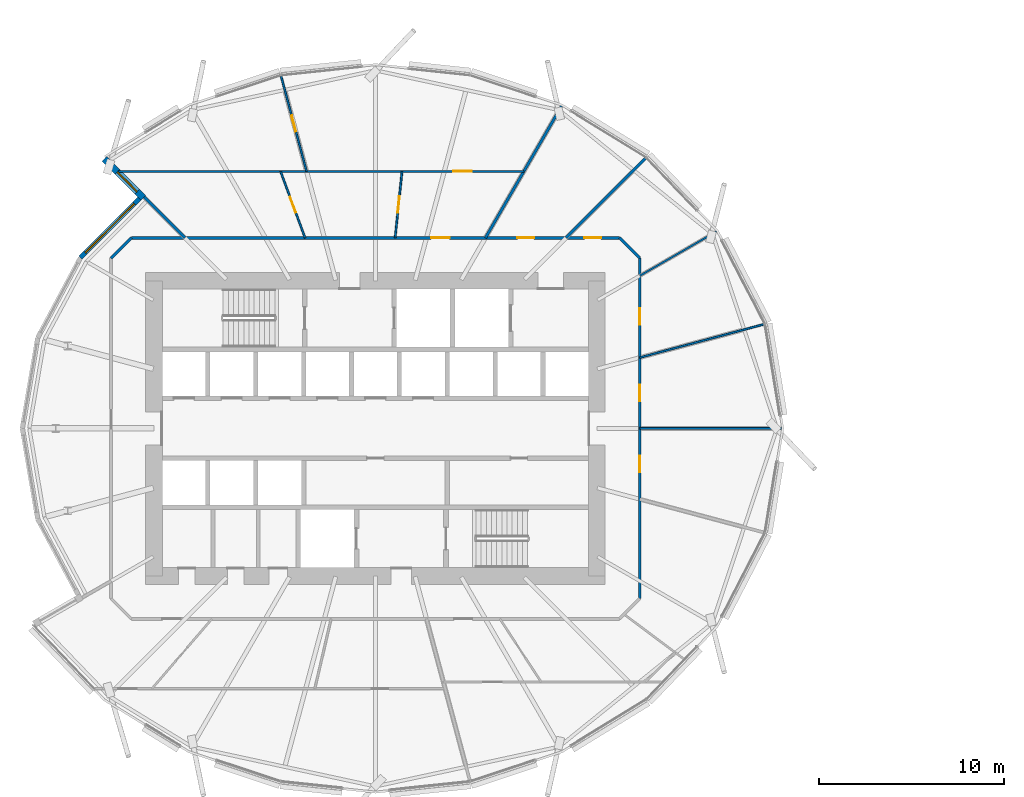
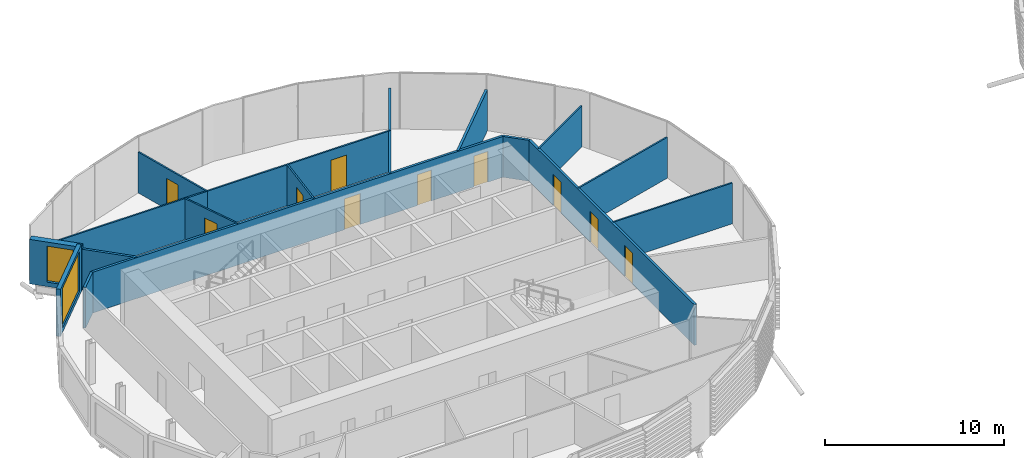
# One storey, part 21 of 36: 17 walls, 10 doors, 2 windows, 12 openings.
"""IFC4 building model written with IfcOpenShell, lengths in metres."""

from ifc_helpers import new_model, si_unit, direction, frame, frame_2d, origin, place, context, subcontext, project, spatial, rectangle, extrude, material, layer, layer_set, type_object, element, fill, save


model = new_model("IFC4")

# Units and contexts
model_context = context("Model", 3, precision=1e-05, world=origin(), true_north=direction((0.0, 1.0)))
body_context = subcontext(model_context, "Body", "Model", "MODEL_VIEW")
ifc_project = project(units=[si_unit("LENGTHUNIT", "METRE"), si_unit("AREAUNIT", "SQUARE_METRE"), si_unit("VOLUMEUNIT", "CUBIC_METRE"), si_unit("PLANEANGLEUNIT", "RADIAN"), si_unit("MASSUNIT", "GRAM", prefix="KILO")], contexts=[model_context])

# Site, building, storey
site_placement = place(None, origin())
site = spatial("IfcSite", under=ifc_project, at=site_placement, CompositionType="ELEMENT")
building_placement = place(site_placement, origin())
building = spatial("IfcBuilding", under=site, at=building_placement, Name="Rimbun Link Towers", CompositionType="ELEMENT")
storey_placement = place(building_placement, frame((0.0, 0.0, 37.60009765625)))
storey = spatial("IfcBuildingStorey", under=building, at=storey_placement, Name="L08", CompositionType="ELEMENT", Elevation=37.60009765625)

# Wall, opening, window
ifc_material_1 = material(Name="Dark enamelled glass spandrel on insulated aluminium backpan", Category="aluminium")
ifc_layer_1 = layer(ifc_material_1, 0.25)
ifc_layer_set_1 = layer_set([ifc_layer_1], Name="CS dark enamelled spandrel wall 250")
wall_type_1 = type_object("IfcWallType", Name="CS dark enamelled spandrel wall 250", PredefinedType="STANDARD", material=ifc_layer_set_1)
wall_1_placement = place(storey_placement, frame((-47.73828125, 9.247314453125, 0.0), z_axis=(0.0, 0.0, 1.0), x_axis=(0.704968436266, 0.709238679056, 0.0)))
wall_1 = element("IfcWall", 1, at=wall_1_placement, inside=storey, type_object=wall_type_1, Name="Crease spandrel wall", PredefinedType="STANDARD", context=body_context, shape_type="SweptSolid", body=[
    extrude(rectangle(XDim=4.5166015625, YDim=0.25, at=frame_2d((2.25830078125, 0.0))), origin(), (0.0, 0.0, 1.0), 3.223388671875),
])
opening_1_placement = place(wall_1_placement, frame((0.38330078125, 0.0, 0.300048828125)))
opening_1 = element("IfcOpeningElement", 2, at=opening_1_placement, cuts=wall_1, Name="Opening WR38H270", PredefinedType="OPENING", context=body_context, shape_type="SweptSolid", body=[
    extrude(rectangle(XDim=3.75, YDim=2.699951171875, at=frame_2d((1.875, 1.35009765625))), frame((0.0, 0.135009765625, 0.0), z_axis=(0.0, -1.0, 0.0), x_axis=(1.0, 0.0, 0.0)), (0.0, 0.0, 1.0), 0.27001953125),
])
ifc_material_2 = material(Name="Aluminium framed fixed window, dark tinted low-e glass", Category="aluminium")
window_type_1 = type_object("IfcWindowType", Name="WR ribbon window 3750X2700", PartitioningType="SINGLE_PANEL", PredefinedType="WINDOW", material=ifc_material_2)
window_1_placement = place(opening_1_placement, origin())
window_1 = element("IfcWindow", 3, at=window_1_placement, inside=storey, type_object=window_type_1, Name="Crease ribbon window", OverallHeight=2.699951171875, OverallWidth=3.75, PartitioningType="SINGLE_PANEL", PredefinedType="WINDOW", context=body_context, shape_type="SweptSolid", body=[
    extrude(rectangle(XDim=3.75, YDim=2.699951171875, at=frame_2d((1.875, 1.35009765625))), frame((0.0, 0.030029296875, 0.0), z_axis=(0.0, -1.0, 0.0), x_axis=(1.0, 0.0, 0.0)), (0.0, 0.0, 1.0), 0.06005859375),
])
fill(opening_1, window_1)

ifc_material_3 = material(Name="Dark enamelled glass spandrel on insulated aluminium backpan", Category="aluminium")
ifc_layer_2 = layer(ifc_material_3, 0.3701171875)
ifc_layer_set_2 = layer_set([ifc_layer_2], Name="CS dark enamelled spandrel wall 370")
wall_type_2 = type_object("IfcWallType", Name="CS dark enamelled spandrel wall 370", PredefinedType="STANDARD", material=ifc_layer_set_2)
wall_2_placement = place(storey_placement, frame((-44.33544921875, 12.49365234375, 0.0), z_axis=(0.0, 0.0, 1.0), x_axis=(-0.707147745574, 0.707065814425, 0.0)))
wall_2 = element("IfcWall", 4, at=wall_2_placement, inside=storey, type_object=wall_type_2, Name="Crease spandrel wall", PredefinedType="STANDARD", context=body_context, shape_type="SweptSolid", body=[
    extrude(rectangle(XDim=2.979736328125, YDim=0.3701171875, at=frame_2d((1.48974609375, 0.0))), origin(), (0.0, 0.0, 1.0), 3.02734375),
])
opening_2_placement = place(wall_2_placement, frame((0.477294921875, 0.0, 0.300048828125)))
opening_2 = element("IfcOpeningElement", 5, at=opening_2_placement, cuts=wall_2, Name="Opening WR15H245", PredefinedType="OPENING", context=body_context, shape_type="SweptSolid", body=[
    extrude(rectangle(XDim=1.5, YDim=2.449951171875, at=frame_2d((0.75, 1.22509765625))), frame((0.0, 0.195068359375, 0.0), z_axis=(0.0, -1.0, 0.0), x_axis=(1.0, 0.0, 0.0)), (0.0, 0.0, 1.0), 0.39013671875),
])
ifc_material_4 = material(Name="Aluminium framed fixed window, dark tinted low-e glass", Category="aluminium")
window_type_2 = type_object("IfcWindowType", Name="WR ribbon window 1500X2450", PartitioningType="SINGLE_PANEL", PredefinedType="WINDOW", material=ifc_material_4)
window_2_placement = place(opening_2_placement, origin())
window_2 = element("IfcWindow", 6, at=window_2_placement, inside=storey, type_object=window_type_2, Name="Crease ribbon window", OverallHeight=2.449951171875, OverallWidth=1.5, PartitioningType="SINGLE_PANEL", PredefinedType="WINDOW", context=body_context, shape_type="SweptSolid", body=[
    extrude(rectangle(XDim=1.5, YDim=2.449951171875, at=frame_2d((0.75, 1.22509765625))), frame((0.0, 0.030029296875, 0.0), z_axis=(0.0, -1.0, 0.0), x_axis=(1.0, 0.0, 0.0)), (0.0, 0.0, 1.0), 0.06005859375),
])
fill(opening_2, window_2)

# Wall, openings, doors
ifc_material_5 = material(Name="Plasterboard on steel stud, mineral wool", Category="steel")
ifc_layer_3 = layer(ifc_material_5, 0.14990234375)
ifc_layer_set_3 = layer_set([ifc_layer_3], Name="Corridor wall EI 30 150 mm")
wall_type_3 = type_object("IfcWallType", Name="Corridor wall EI 30 150 mm", PredefinedType="PARTITIONING", material=ifc_layer_set_3)
wall_3_placement = place(storey_placement, frame((-44.976806640625, 10.324951171875, 0.0), z_axis=(0.0, 0.0, 1.0), x_axis=(1.0, 0.0, 0.0)))
wall_3 = element("IfcWall", 7, at=wall_3_placement, inside=storey, type_object=wall_type_3, Name="Corridor wall EI 30 150 mm", PredefinedType="PARTITIONING", context=body_context, shape_type="SweptSolid", body=[
    extrude(rectangle(XDim=26.45361328125, YDim=0.14990234375, at=frame_2d((13.226806640625, 0.0))), origin(), (0.0, 0.0, 1.0), 2.77880859375),
])
opening_3_placement = place(wall_3_placement, frame((24.552490234375, 0.0, 0.0)))
opening_3 = element("IfcOpeningElement", 8, at=opening_3_placement, cuts=wall_3, Name="Opening D02", PredefinedType="OPENING", context=body_context, shape_type="SweptSolid", body=[
    extrude(rectangle(XDim=0.89990234375, YDim=2.10009765625, at=frame_2d((0.449951171875, 1.050048828125))), frame((0.0, 0.0849609375, 0.0), z_axis=(0.0, -1.0, 0.0), x_axis=(1.0, 0.0, 0.0)), (0.0, 0.0, 1.0), 0.169921875),
])
opening_4_placement = place(wall_3_placement, frame((20.919921875, 0.0, 0.0)))
opening_4 = element("IfcOpeningElement", 9, at=opening_4_placement, cuts=wall_3, Name="Opening D02", PredefinedType="OPENING", context=body_context, shape_type="SweptSolid", body=[
    extrude(rectangle(XDim=0.89990234375, YDim=2.10009765625, at=frame_2d((0.449951171875, 1.050048828125))), frame((0.0, 0.0849609375, 0.0), z_axis=(0.0, -1.0, 0.0), x_axis=(1.0, 0.0, 0.0)), (0.0, 0.0, 1.0), 0.169921875),
])
opening_5_placement = place(wall_3_placement, frame((16.2412109375, 0.0, 0.0)))
opening_5 = element("IfcOpeningElement", 10, at=opening_5_placement, cuts=wall_3, Name="Opening D01", PredefinedType="OPENING", context=body_context, shape_type="SweptSolid", body=[
    extrude(rectangle(XDim=1.0, YDim=2.10009765625, at=frame_2d((0.5, 1.050048828125))), frame((0.0, 0.0849609375, 0.0), z_axis=(0.0, -1.0, 0.0), x_axis=(1.0, 0.0, 0.0)), (0.0, 0.0, 1.0), 0.169921875),
])
ifc_material_6 = material(Name="Fire-resisting timber door leaf", Category="wood")
door_type_1 = type_object("IfcDoorType", Name="Fire door FD30S 1000", OperationType="NOTDEFINED", PredefinedType="DOOR", material=ifc_material_6)
door_1_placement = place(opening_5_placement, origin())
door_1 = element("IfcDoor", 11, at=door_1_placement, inside=storey, type_object=door_type_1, Name="Fire door FD30S 1000 to Reception", OperationType="SINGLE_SWING_RIGHT", OverallHeight=2.10009765625, OverallWidth=1.0, PredefinedType="DOOR", context=body_context, shape_type="SweptSolid", body=[
    extrude(rectangle(XDim=1.0, YDim=2.10009765625, at=frame_2d((0.5, 1.050048828125))), frame((0.0, 0.02490234375, 0.0), z_axis=(0.0, -1.0, 0.0), x_axis=(1.0, 0.0, 0.0)), (0.0, 0.0, 1.0), 0.050048828125),
])
fill(opening_5, door_1)
ifc_material_7 = material(Name="Fire-resisting timber door leaf", Category="wood")
door_type_2 = type_object("IfcDoorType", Name="Fire door FD30S 900", OperationType="NOTDEFINED", PredefinedType="DOOR", material=ifc_material_7)
door_2_placement = place(opening_3_placement, origin())
door_2 = element("IfcDoor", 12, at=door_2_placement, inside=storey, type_object=door_type_2, Name="Fire door FD30S 900 to Meeting room", OperationType="SINGLE_SWING_RIGHT", OverallHeight=2.10009765625, OverallWidth=0.89990234375, PredefinedType="DOOR", context=body_context, shape_type="SweptSolid", body=[
    extrude(rectangle(XDim=0.89990234375, YDim=2.10009765625, at=frame_2d((0.449951171875, 1.050048828125))), frame((0.0, 0.02490234375, 0.0), z_axis=(0.0, -1.0, 0.0), x_axis=(1.0, 0.0, 0.0)), (0.0, 0.0, 1.0), 0.050048828125),
])
fill(opening_3, door_2)
door_3_placement = place(opening_4_placement, origin())
door_3 = element("IfcDoor", 13, at=door_3_placement, inside=storey, type_object=door_type_2, Name="Fire door FD30S 900 to Print room", OperationType="SINGLE_SWING_LEFT", OverallHeight=2.10009765625, OverallWidth=0.89990234375, PredefinedType="DOOR", context=body_context, shape_type="SweptSolid", body=[
    extrude(rectangle(XDim=0.89990234375, YDim=2.10009765625, at=frame_2d((0.449951171875, 1.050048828125))), frame((0.0, 0.02490234375, 0.0), z_axis=(0.0, -1.0, 0.0), x_axis=(1.0, 0.0, 0.0)), (0.0, 0.0, 1.0), 0.050048828125),
])
fill(opening_4, door_3)

# Wall
wall_4_placement = place(storey_placement, frame((-17.425048828125, 9.226806640625, 0.0), z_axis=(0.0, 0.0, 1.0), x_axis=(-0.707106781187, 0.707106781187, 0.0)))
element("IfcWall", 14, at=wall_4_placement, inside=storey, type_object=wall_type_3, Name="Corridor wall EI 30 150 mm", PredefinedType="PARTITIONING", context=body_context, shape_type="SweptSolid", body=[
    extrude(rectangle(XDim=1.552978515625, YDim=0.14990234375, at=frame_2d((0.7763671875, 0.0))), origin(), (0.0, 0.0, 1.0), 2.77880859375),
])

# Wall, openings, doors
wall_5_placement = place(storey_placement, frame((-17.425048828125, 9.226806640625, 0.0), z_axis=(0.0, 0.0, 1.0), x_axis=(0.0, -1.0, 0.0)))
wall_5 = element("IfcWall", 15, at=wall_5_placement, inside=storey, type_object=wall_type_3, Name="Corridor wall EI 30 150 mm", PredefinedType="PARTITIONING", context=body_context, shape_type="SweptSolid", body=[
    extrude(rectangle(XDim=18.45361328125, YDim=0.14990234375, at=frame_2d((9.226806640625, 0.0))), origin(), (0.0, 0.0, 1.0), 2.77880859375),
])
opening_6_placement = place(wall_5_placement, frame((10.69580078125, 0.0, 0.0)))
opening_6 = element("IfcOpeningElement", 16, at=opening_6_placement, cuts=wall_5, Name="Opening D02", PredefinedType="OPENING", context=body_context, shape_type="SweptSolid", body=[
    extrude(rectangle(XDim=0.89990234375, YDim=2.10009765625, at=frame_2d((0.449951171875, 1.050048828125))), frame((0.0, 0.0849609375, 0.0), z_axis=(0.0, -1.0, 0.0), x_axis=(1.0, 0.0, 0.0)), (0.0, 0.0, 1.0), 0.169921875),
])
opening_7_placement = place(wall_5_placement, frame((6.857421875, 0.0, 0.0)))
opening_7 = element("IfcOpeningElement", 17, at=opening_7_placement, cuts=wall_5, Name="Opening D02", PredefinedType="OPENING", context=body_context, shape_type="SweptSolid", body=[
    extrude(rectangle(XDim=0.89990234375, YDim=2.10009765625, at=frame_2d((0.449951171875, 1.050048828125))), frame((0.0, 0.0849609375, 0.0), z_axis=(0.0, -1.0, 0.0), x_axis=(1.0, 0.0, 0.0)), (0.0, 0.0, 1.0), 0.169921875),
])
opening_8_placement = place(wall_5_placement, frame((2.72216796875, 0.0, 0.0)))
opening_8 = element("IfcOpeningElement", 18, at=opening_8_placement, cuts=wall_5, Name="Opening D02", PredefinedType="OPENING", context=body_context, shape_type="SweptSolid", body=[
    extrude(rectangle(XDim=0.89990234375, YDim=2.10009765625, at=frame_2d((0.449951171875, 1.050048828125))), frame((0.0, 0.0849609375, 0.0), z_axis=(0.0, -1.0, 0.0), x_axis=(1.0, 0.0, 0.0)), (0.0, 0.0, 1.0), 0.169921875),
])
door_4_placement = place(opening_6_placement, origin())
door_4 = element("IfcDoor", 19, at=door_4_placement, inside=storey, type_object=door_type_2, Name="Fire door FD30S 900 to Cellular office", OperationType="SINGLE_SWING_LEFT", OverallHeight=2.10009765625, OverallWidth=0.89990234375, PredefinedType="DOOR", context=body_context, shape_type="SweptSolid", body=[
    extrude(rectangle(XDim=0.89990234375, YDim=2.10009765625, at=frame_2d((0.449951171875, 1.050048828125))), frame((0.0, 0.02490234375, 0.0), z_axis=(0.0, -1.0, 0.0), x_axis=(1.0, 0.0, 0.0)), (0.0, 0.0, 1.0), 0.050048828125),
])
fill(opening_6, door_4)
door_5_placement = place(opening_7_placement, origin())
door_5 = element("IfcDoor", 20, at=door_5_placement, inside=storey, type_object=door_type_2, Name="Fire door FD30S 900 to Cellular office", OperationType="SINGLE_SWING_RIGHT", OverallHeight=2.10009765625, OverallWidth=0.89990234375, PredefinedType="DOOR", context=body_context, shape_type="SweptSolid", body=[
    extrude(rectangle(XDim=0.89990234375, YDim=2.10009765625, at=frame_2d((0.449951171875, 1.050048828125))), frame((0.0, 0.02490234375, 0.0), z_axis=(0.0, -1.0, 0.0), x_axis=(1.0, 0.0, 0.0)), (0.0, 0.0, 1.0), 0.050048828125),
])
fill(opening_7, door_5)
door_6_placement = place(opening_8_placement, origin())
door_6 = element("IfcDoor", 21, at=door_6_placement, inside=storey, type_object=door_type_2, Name="Fire door FD30S 900 to Cellular office", OperationType="SINGLE_SWING_LEFT", OverallHeight=2.10009765625, OverallWidth=0.89990234375, PredefinedType="DOOR", context=body_context, shape_type="SweptSolid", body=[
    extrude(rectangle(XDim=0.89990234375, YDim=2.10009765625, at=frame_2d((0.449951171875, 1.050048828125))), frame((0.0, 0.02490234375, 0.0), z_axis=(0.0, -1.0, 0.0), x_axis=(1.0, 0.0, 0.0)), (0.0, 0.0, 1.0), 0.050048828125),
])
fill(opening_8, door_6)

# Walls
wall_6_placement = place(storey_placement, frame((-44.976806640625, 10.324951171875, 0.0), z_axis=(0.0, 0.0, 1.0), x_axis=(-0.707106781187, -0.707106781187, 0.0)))
element("IfcWall", 22, at=wall_6_placement, inside=storey, type_object=wall_type_3, Name="Corridor wall EI 30 150 mm", PredefinedType="PARTITIONING", context=body_context, shape_type="SweptSolid", body=[
    extrude(rectangle(XDim=1.552978515625, YDim=0.14990234375, at=frame_2d((0.7763671875, 0.0))), origin(), (0.0, 0.0, 1.0), 2.77880859375),
])
ifc_material_8 = material(Name="Plasterboard on steel stud", Category="steel")
ifc_layer_4 = layer(ifc_material_8, 0.10009765625)
ifc_layer_set_4 = layer_set([ifc_layer_4], Name="Plasterboard partition 100 mm")
wall_type_4 = type_object("IfcWallType", Name="Plasterboard partition 100 mm", PredefinedType="PARTITIONING", material=ifc_layer_set_4)
wall_7_placement = place(storey_placement, frame((-9.7373046875, 0.0, 0.0), z_axis=(0.0, 0.0, 1.0), x_axis=(-1.0, 0.0, 0.0)))
element("IfcWall", 23, at=wall_7_placement, inside=storey, type_object=wall_type_4, Name="Plasterboard partition 100 mm", PredefinedType="PARTITIONING", context=body_context, shape_type="SweptSolid", body=[
    extrude(rectangle(XDim=7.687744140625, YDim=0.10009765625, at=frame_2d((3.84375, 0.0))), origin(), (0.0, 0.0, 1.0), 2.77880859375),
])
wall_8_placement = place(storey_placement, frame((-10.666259765625, 5.6494140625, 0.0), z_axis=(0.0, 0.0, 1.0), x_axis=(-0.965925001487, -0.258822123285, 0.0)))
element("IfcWall", 24, at=wall_8_placement, inside=storey, type_object=wall_type_4, Name="Plasterboard partition 100 mm", PredefinedType="PARTITIONING", context=body_context, shape_type="SweptSolid", body=[
    extrude(rectangle(XDim=6.997314453125, YDim=0.10009765625, at=frame_2d((3.49853515625, 0.0))), origin(), (0.0, 0.0, 1.0), 2.77880859375),
])
wall_9_placement = place(storey_placement, frame((-13.26513671875, 10.672119140625, 0.0), z_axis=(0.0, 0.0, 1.0), x_axis=(-0.866035774857, -0.499982036344, 0.0)))
element("IfcWall", 25, at=wall_9_placement, inside=storey, type_object=wall_type_4, Name="Plasterboard partition 100 mm", PredefinedType="PARTITIONING", context=body_context, shape_type="SweptSolid", body=[
    extrude(rectangle(XDim=4.803466796875, YDim=0.10009765625, at=frame_2d((2.40185546875, 0.0))), origin(), (0.0, 0.0, 1.0), 2.77880859375),
])

# Wall, opening, door
wall_10_placement = place(storey_placement, frame((-30.682373046875, 10.324951171875, 0.0), z_axis=(0.0, 0.0, 1.0), x_axis=(0.102869232658, 0.994694888381, 0.0)))
wall_10 = element("IfcWall", 26, at=wall_10_placement, inside=storey, type_object=wall_type_4, Name="Plasterboard partition 100 mm", PredefinedType="PARTITIONING", context=body_context, shape_type="SweptSolid", body=[
    extrude(rectangle(XDim=3.619384765625, YDim=0.10009765625, at=frame_2d((1.8095703125, 0.0))), origin(), (0.0, 0.0, 1.0), 2.77880859375),
])
opening_9_placement = place(wall_10_placement, frame((1.359619140625, 0.0, 0.0)))
opening_9 = element("IfcOpeningElement", 27, at=opening_9_placement, cuts=wall_10, Name="Opening D04", PredefinedType="OPENING", context=body_context, shape_type="SweptSolid", body=[
    extrude(rectangle(XDim=0.89990234375, YDim=2.10009765625, at=frame_2d((0.449951171875, 1.050048828125))), frame((0.0, 0.06005859375, 0.0), z_axis=(0.0, -1.0, 0.0), x_axis=(1.0, 0.0, 0.0)), (0.0, 0.0, 1.0), 0.1201171875),
])
ifc_material_9 = material(Name="Timber door leaf", Category="wood")
door_type_3 = type_object("IfcDoorType", Name="Flush door 900", OperationType="NOTDEFINED", PredefinedType="DOOR", material=ifc_material_9)
door_7_placement = place(opening_9_placement, origin())
door_7 = element("IfcDoor", 28, at=door_7_placement, inside=storey, type_object=door_type_3, Name="Flush door 900 to Meeting room", OperationType="SINGLE_SWING_RIGHT", OverallHeight=2.10009765625, OverallWidth=0.89990234375, PredefinedType="DOOR", context=body_context, shape_type="SweptSolid", body=[
    extrude(rectangle(XDim=0.89990234375, YDim=2.10009765625, at=frame_2d((0.449951171875, 1.050048828125))), frame((0.0, 0.02490234375, 0.0), z_axis=(0.0, -1.0, 0.0), x_axis=(1.0, 0.0, 0.0)), (0.0, 0.0, 1.0), 0.050048828125),
])
fill(opening_9, door_7)

wall_11_placement = place(storey_placement, frame((-35.481201171875, 13.925048828125, 0.0), z_axis=(0.0, 0.0, 1.0), x_axis=(1.0, 0.0, 0.0)))
wall_11 = element("IfcWall", 29, at=wall_11_placement, inside=storey, type_object=wall_type_4, Name="Plasterboard partition 100 mm", PredefinedType="PARTITIONING", context=body_context, shape_type="SweptSolid", body=[
    extrude(rectangle(XDim=11.770751953125, YDim=0.10009765625, at=frame_2d((5.88525390625, 0.0))), origin(), (0.0, 0.0, 1.0), 2.77880859375),
])
opening_10_placement = place(wall_11_placement, frame((7.955810546875, 0.0, 0.0)))
opening_10 = element("IfcOpeningElement", 30, at=opening_10_placement, cuts=wall_11, Name="Opening D03", PredefinedType="OPENING", context=body_context, shape_type="SweptSolid", body=[
    extrude(rectangle(XDim=1.0, YDim=2.10009765625, at=frame_2d((0.5, 1.050048828125))), frame((0.0, 0.06005859375, 0.0), z_axis=(0.0, -1.0, 0.0), x_axis=(1.0, 0.0, 0.0)), (0.0, 0.0, 1.0), 0.1201171875),
])
ifc_material_10 = material(Name="Timber door leaf", Category="wood")
door_type_4 = type_object("IfcDoorType", Name="Flush door 1000", OperationType="NOTDEFINED", PredefinedType="DOOR", material=ifc_material_10)
door_8_placement = place(opening_10_placement, origin())
door_8 = element("IfcDoor", 31, at=door_8_placement, inside=storey, type_object=door_type_4, Name="Flush door 1000 to Co-working space", OperationType="SINGLE_SWING_LEFT", OverallHeight=2.10009765625, OverallWidth=1.0, PredefinedType="DOOR", context=body_context, shape_type="SweptSolid", body=[
    extrude(rectangle(XDim=1.0, YDim=2.10009765625, at=frame_2d((0.5, 1.050048828125))), frame((0.0, 0.02490234375, 0.0), z_axis=(0.0, -1.0, 0.0), x_axis=(1.0, 0.0, 0.0)), (0.0, 0.0, 1.0), 0.050048828125),
])
fill(opening_10, door_8)

wall_12_placement = place(storey_placement, frame((-35.561279296875, 10.324951171875, 0.0), z_axis=(0.0, 0.0, 1.0), x_axis=(-0.346280195753, 0.938131134773, 0.0)))
wall_12 = element("IfcWall", 32, at=wall_12_placement, inside=storey, type_object=wall_type_4, Name="Plasterboard partition 100 mm", PredefinedType="PARTITIONING", context=body_context, shape_type="SweptSolid", body=[
    extrude(rectangle(XDim=3.83740234375, YDim=0.10009765625, at=frame_2d((1.918701171875, 0.0))), origin(), (0.0, 0.0, 1.0), 2.77880859375),
])
opening_11_placement = place(wall_12_placement, frame((1.46875, 0.0, 0.0)))
opening_11 = element("IfcOpeningElement", 33, at=opening_11_placement, cuts=wall_12, Name="Opening D04", PredefinedType="OPENING", context=body_context, shape_type="SweptSolid", body=[
    extrude(rectangle(XDim=0.89990234375, YDim=2.10009765625, at=frame_2d((0.449951171875, 1.050048828125))), frame((0.0, 0.06005859375, 0.0), z_axis=(0.0, -1.0, 0.0), x_axis=(1.0, 0.0, 0.0)), (0.0, 0.0, 1.0), 0.1201171875),
])
door_9_placement = place(opening_11_placement, origin())
door_9 = element("IfcDoor", 34, at=door_9_placement, inside=storey, type_object=door_type_3, Name="Flush door 900 to Pantry", OperationType="SINGLE_SWING_RIGHT", OverallHeight=2.10009765625, OverallWidth=0.89990234375, PredefinedType="DOOR", context=body_context, shape_type="SweptSolid", body=[
    extrude(rectangle(XDim=0.89990234375, YDim=2.10009765625, at=frame_2d((0.449951171875, 1.050048828125))), frame((0.0, 0.02490234375, 0.0), z_axis=(0.0, -1.0, 0.0), x_axis=(1.0, 0.0, 0.0)), (0.0, 0.0, 1.0), 0.050048828125),
])
fill(opening_11, door_9)

# Wall
wall_13_placement = place(storey_placement, frame((-35.481201171875, 13.925048828125, 0.0), z_axis=(0.0, 0.0, 1.0), x_axis=(-1.0, 0.0, 0.0)))
element("IfcWall", 35, at=wall_13_placement, inside=storey, type_object=wall_type_4, Name="Plasterboard partition 100 mm", PredefinedType="PARTITIONING", context=body_context, shape_type="SweptSolid", body=[
    extrude(rectangle(XDim=10.19384765625, YDim=0.10009765625, at=frame_2d((5.096923828125, 0.0))), origin(), (0.0, 0.0, 1.0), 2.77880859375),
])

# Wall, opening, door
wall_14_placement = place(storey_placement, frame((-35.481201171875, 13.925048828125, 0.0), z_axis=(0.0, 0.0, 1.0), x_axis=(-0.258827694644, 0.96592350861, 0.0)))
wall_14 = element("IfcWall", 36, at=wall_14_placement, inside=storey, type_object=wall_type_4, Name="Plasterboard partition 100 mm", PredefinedType="PARTITIONING", context=body_context, shape_type="SweptSolid", body=[
    extrude(rectangle(XDim=5.372802734375, YDim=0.10009765625, at=frame_2d((2.6865234375, 0.0))), origin(), (0.0, 0.0, 1.0), 2.77880859375),
])
opening_12_placement = place(wall_14_placement, frame((2.236328125, 0.0, 0.0)))
opening_12 = element("IfcOpeningElement", 37, at=opening_12_placement, cuts=wall_14, Name="Opening D04", PredefinedType="OPENING", context=body_context, shape_type="SweptSolid", body=[
    extrude(rectangle(XDim=0.89990234375, YDim=2.10009765625, at=frame_2d((0.449951171875, 1.050048828125))), frame((0.0, 0.06005859375, 0.0), z_axis=(0.0, -1.0, 0.0), x_axis=(1.0, 0.0, 0.0)), (0.0, 0.0, 1.0), 0.1201171875),
])
door_10_placement = place(opening_12_placement, origin())
door_10 = element("IfcDoor", 38, at=door_10_placement, inside=storey, type_object=door_type_3, Name="Flush door 900 to Serviced office", OperationType="SINGLE_SWING_RIGHT", OverallHeight=2.10009765625, OverallWidth=0.89990234375, PredefinedType="DOOR", context=body_context, shape_type="SweptSolid", body=[
    extrude(rectangle(XDim=0.89990234375, YDim=2.10009765625, at=frame_2d((0.449951171875, 1.050048828125))), frame((0.0, 0.02490234375, 0.0), z_axis=(0.0, -1.0, 0.0), x_axis=(1.0, 0.0, 0.0)), (0.0, 0.0, 1.0), 0.050048828125),
])
fill(opening_12, door_10)

# Walls
ifc_material_11 = material(Name="Plasterboard on steel stud, mineral wool", Category="steel")
ifc_layer_5 = layer(ifc_material_11, 0.14990234375)
ifc_layer_set_5 = layer_set([ifc_layer_5], Name="Tenancy separation wall EI 60 150 mm")
wall_type_5 = type_object("IfcWallType", Name="Tenancy separation wall EI 60 150 mm", PredefinedType="PARTITIONING", material=ifc_layer_set_5)
wall_15_placement = place(storey_placement, frame((-21.425048828125, 10.324951171875, 0.0), z_axis=(0.0, 0.0, 1.0), x_axis=(0.707106781187, 0.707106781187, 0.0)))
element("IfcWall", 39, at=wall_15_placement, inside=storey, type_object=wall_type_5, Name="Tenancy separation wall EI 60 150 mm", PredefinedType="PARTITIONING", context=body_context, shape_type="SweptSolid", body=[
    extrude(rectangle(XDim=6.1318359375, YDim=0.14990234375, at=frame_2d((3.06591796875, 0.0))), origin(), (0.0, 0.0, 1.0), 2.77880859375),
])
wall_16_placement = place(storey_placement, frame((-25.788818359375, 10.324951171875, 0.0), z_axis=(0.0, 0.0, 1.0), x_axis=(0.500009360108, 0.866019999656, 0.0)))
element("IfcWall", 40, at=wall_16_placement, inside=storey, type_object=wall_type_5, Name="Tenancy separation wall EI 60 150 mm", PredefinedType="PARTITIONING", context=body_context, shape_type="SweptSolid", body=[
    extrude(rectangle(XDim=8.249755859375, YDim=0.14990234375, at=frame_2d((4.125, 0.0))), origin(), (0.0, 0.0, 1.0), 2.77880859375),
])
wall_17_placement = place(storey_placement, frame((-42.074951171875, 10.324951171875, 0.0), z_axis=(0.0, 0.0, 1.0), x_axis=(-0.707106781187, 0.707106781187, 0.0)))
element("IfcWall", 41, at=wall_17_placement, inside=storey, type_object=wall_type_5, Name="Tenancy separation wall EI 60 150 mm", PredefinedType="PARTITIONING", context=body_context, shape_type="SweptSolid", body=[
    extrude(rectangle(XDim=3.1318359375, YDim=0.14990234375, at=frame_2d((1.56591796875, 0.0))), origin(), (0.0, 0.0, 1.0), 2.77880859375),
])

save(model, "model.ifc")
